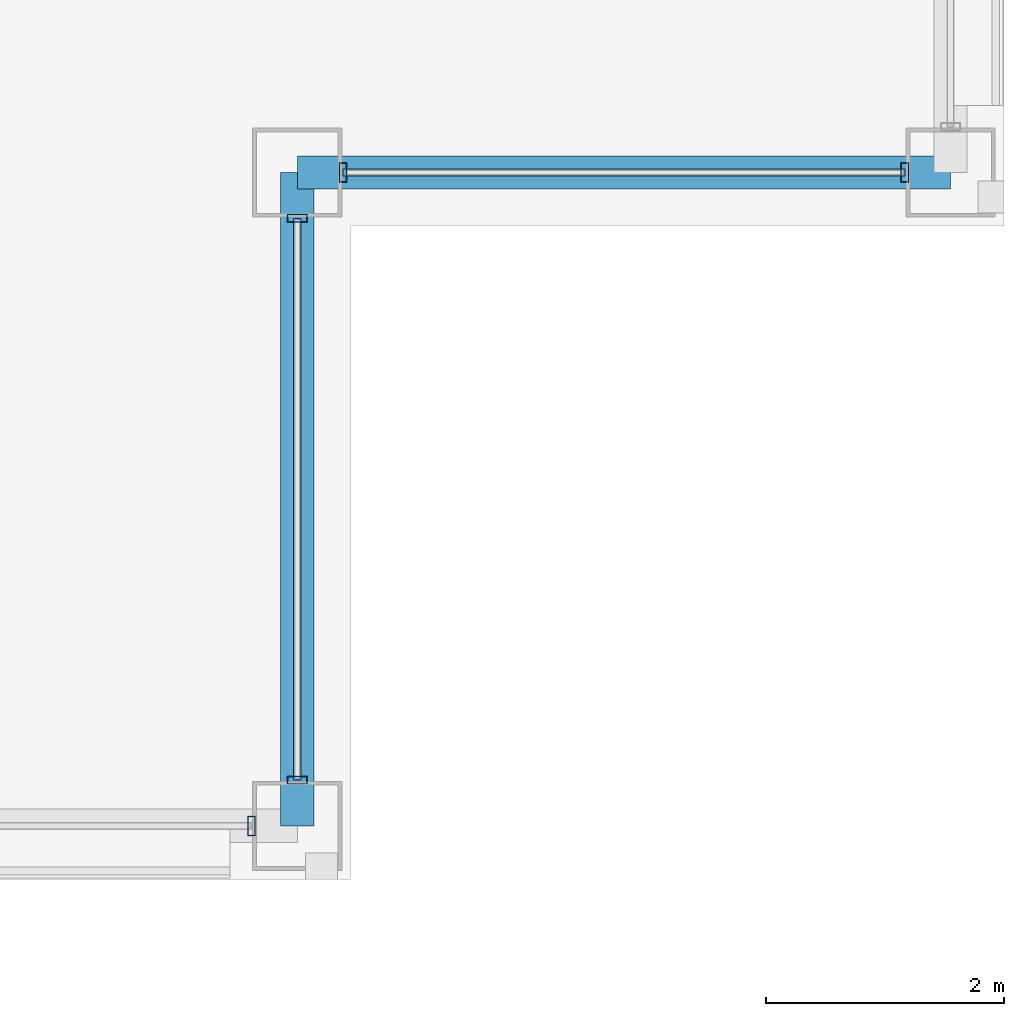
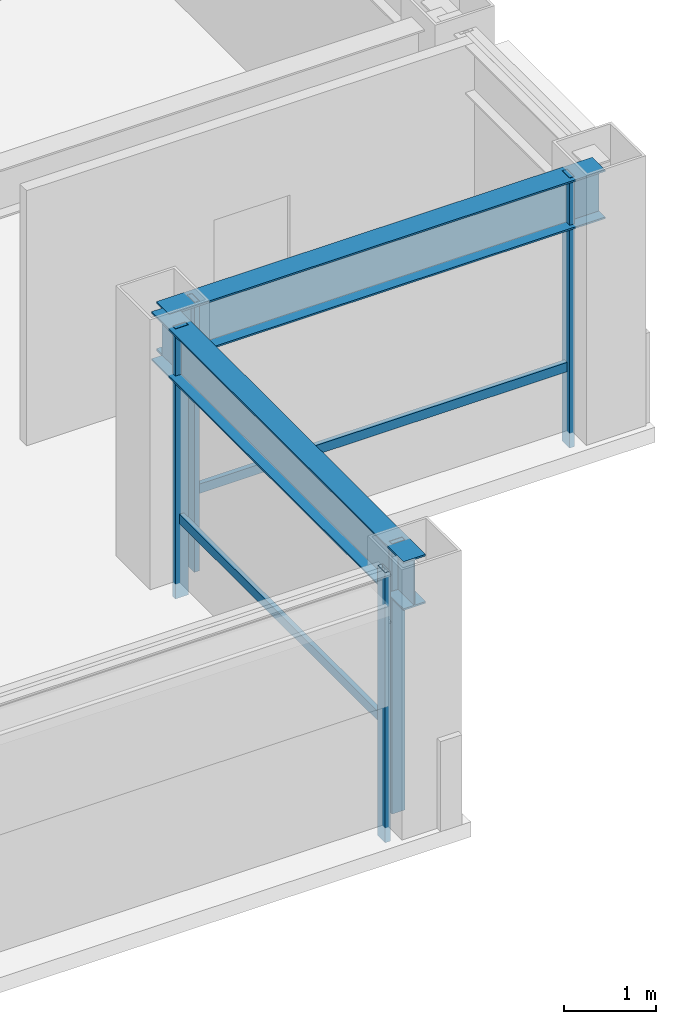
# One storey, part 12 of 31: 7 members, 2 beams, 3 elements without a shape of their own.
"""IFC4 building model written with IfcOpenShell, lengths in metres."""

from ifc_helpers import new_model, si_unit, direction, frame, origin, origin_2d, place, context, subcontext, project, spatial, hollow_rectangle, i_section, extrude, material, layer, layer_set, material_profile, profile_set, type_object, element, aggregate, save


model = new_model("IFC4")

# Units and contexts
model_context = context("Model", 3, precision=1e-05, world=origin(), true_north=direction((0.0, 1.0)))
body_context = subcontext(model_context, "Body", "Model", "MODEL_VIEW")
ifc_project = project(units=[si_unit("LENGTHUNIT", "METRE"), si_unit("AREAUNIT", "SQUARE_METRE"), si_unit("VOLUMEUNIT", "CUBIC_METRE"), si_unit("PLANEANGLEUNIT", "RADIAN"), si_unit("MASSUNIT", "GRAM", prefix="KILO")], contexts=[model_context])

# Site, building, storey
site_placement = place(None, origin())
site = spatial("IfcSite", under=ifc_project, at=site_placement, CompositionType="ELEMENT")
building_placement = place(site_placement, origin())
building = spatial("IfcBuilding", under=site, at=building_placement, Name="Brelmoor Portico Tower", CompositionType="ELEMENT")
storey_placement = place(building_placement, frame((0.0, 0.0, 176.699951171875)))
storey = spatial("IfcBuildingStorey", under=building, at=storey_placement, Name="L46", CompositionType="ELEMENT", Elevation=176.699951171875)

# Beams
ifc_material_1 = material(Name="Steel Q355B", Category="steel")
ifc_material_profile_1 = material_profile(ifc_material_1, i_section(OverallWidth=0.280029296875, OverallDepth=0.64990234375, WebThickness=0.012939453125, FlangeThickness=0.02197265625, at=origin_2d()), Name="HN 650x280x13x22")
ifc_profile_set_1 = profile_set([ifc_material_profile_1], Name="Steel Q355B")
beam_type = type_object("IfcBeamType", Name="BM-SP-650", PredefinedType="SPANDREL", material=ifc_profile_set_1)
for number, where, z_axis, x_axis, name in (
    (1, (15.050048828125, -13.050048828125, 3.074951171875), (1.0, 0.0, 0.0), (0.0, 1.0, 0.0), "L46 Perimeter Spandrel Beam SP-05"),
    (2, (15.050048828125, -18.550048828125, 3.074951171875), (0.0, 1.0, 0.0), (-1.0, 0.0, 0.0), "L46 Perimeter Spandrel Beam SP-16"),
):
    element("IfcBeam", number, at=place(storey_placement, frame(where, z_axis=z_axis, x_axis=x_axis)), inside=storey, type_object=beam_type, Name=name, PredefinedType="SPANDREL", context=body_context, shape_type="SweptSolid", body=[
        extrude(i_section(OverallWidth=0.280029296875, OverallDepth=0.64990234375, WebThickness=0.012939453125, FlangeThickness=0.02197265625, at=origin_2d()), origin(), (0.0, 0.0, 1.0), 5.5),
    ])

# Curtain wall, member
ifc_material_2 = material(Name="Anodised Aluminium Alloy 6063-T6", Category="aluminium")
ifc_layer_1 = layer(ifc_material_2, 0.179931640625)
ifc_layer_set_1 = layer_set([ifc_layer_1], Name="Anodised Aluminium Alloy 6063-T6")
curtain_wall_type_1 = type_object("IfcCurtainWallType", Name="CW-TOWER-Z3-XB", PredefinedType="NOTDEFINED", material=ifc_layer_set_1)
curtain_wall_1_placement = place(storey_placement, origin())
curtain_wall_1 = element("IfcCurtainWall", 3, at=curtain_wall_1_placement, inside=storey, type_object=curtain_wall_type_1, Name="L46 Curtain Wall CW-L46-1R-2", PredefinedType="NOTDEFINED")
ifc_material_profile_2 = material_profile(ifc_material_2, hollow_rectangle(XDim=0.06494140625, YDim=0.1650390625, WallThickness=0.00390625, at=origin_2d()), Name="ALU MULLION 65x165")
ifc_profile_set_2 = profile_set([ifc_material_profile_2], Name="Anodised Aluminium Alloy 6063-T6")
member_type_1 = type_object("IfcMemberType", Name="MB-CW-MULL-165", PredefinedType="MULLION", material=ifc_profile_set_2)
member_1_placement = place(storey_placement, frame((14.6650390625, -18.550048828125, -0.199951171875), z_axis=(0.0, 0.0, 1.0), x_axis=(1.0, 0.0, 0.0)))
member_1 = element("IfcMember", 4, at=member_1_placement, type_object=member_type_1, Name="CW-L46-1R-2 Mullion 01", PredefinedType="MULLION", context=body_context, shape_type="SweptSolid", body=[
    extrude(hollow_rectangle(XDim=0.06494140625, YDim=0.1650390625, WallThickness=0.00390625, at=origin_2d()), origin(), (0.0, 0.0, 1.0), 3.60009765625),
])
aggregate(curtain_wall_1, [member_1])

# Curtain wall, members
ifc_layer_2 = layer(ifc_material_2, 0.179931640625)
ifc_layer_set_2 = layer_set([ifc_layer_2], Name="Anodised Aluminium Alloy 6063-T6")
curtain_wall_type_2 = type_object("IfcCurtainWallType", Name="CW-NOTCH-CHAMFER", PredefinedType="NOTDEFINED", material=ifc_layer_set_2)
curtain_wall_2_placement = place(storey_placement, origin())
curtain_wall_2 = element("IfcCurtainWall", 5, at=curtain_wall_2_placement, inside=storey, type_object=curtain_wall_type_2, Name="L46 Curtain Wall CWN-L46-SEH", PredefinedType="NOTDEFINED")
member_2_placement = place(storey_placement, frame((15.43505859375, -13.050048828125, -0.199951171875), z_axis=(0.0, 0.0, 1.0), x_axis=(1.0, 0.0, 0.0)))
member_2 = element("IfcMember", 6, at=member_2_placement, type_object=member_type_1, Name="CWN-L46-SEH Mullion 00", PredefinedType="MULLION", context=body_context, shape_type="SweptSolid", body=[
    extrude(hollow_rectangle(XDim=0.06494140625, YDim=0.1650390625, WallThickness=0.00390625, at=origin_2d()), origin(), (0.0, 0.0, 1.0), 3.60009765625),
])
member_3_placement = place(storey_placement, frame((20.1650390625, -13.050048828125, -0.199951171875), z_axis=(0.0, 0.0, 1.0), x_axis=(1.0, 0.0, 0.0)))
member_3 = element("IfcMember", 7, at=member_3_placement, type_object=member_type_1, Name="CWN-L46-SEH Mullion 01", PredefinedType="MULLION", context=body_context, shape_type="SweptSolid", body=[
    extrude(hollow_rectangle(XDim=0.06494140625, YDim=0.1650390625, WallThickness=0.00390625, at=origin_2d()), origin(), (0.0, 0.0, 1.0), 3.60009765625),
])

curtain_wall_3_placement = place(storey_placement, origin())
curtain_wall_3 = element("IfcCurtainWall", 8, at=curtain_wall_3_placement, inside=storey, type_object=curtain_wall_type_2, Name="L46 Curtain Wall CWN-L46-SEV", PredefinedType="NOTDEFINED")
member_4_placement = place(storey_placement, frame((15.050048828125, -18.1650390625, -0.199951171875), z_axis=(0.0, 0.0, 1.0), x_axis=(0.0, 1.0, 0.0)))
member_4 = element("IfcMember", 9, at=member_4_placement, type_object=member_type_1, Name="CWN-L46-SEV Mullion 00", PredefinedType="MULLION", context=body_context, shape_type="SweptSolid", body=[
    extrude(hollow_rectangle(XDim=0.06494140625, YDim=0.1650390625, WallThickness=0.00390625, at=origin_2d()), origin(), (0.0, 0.0, 1.0), 3.60009765625),
])
member_5_placement = place(storey_placement, frame((15.050048828125, -13.43505859375, -0.199951171875), z_axis=(0.0, 0.0, 1.0), x_axis=(0.0, 1.0, 0.0)))
member_5 = element("IfcMember", 10, at=member_5_placement, type_object=member_type_1, Name="CWN-L46-SEV Mullion 01", PredefinedType="MULLION", context=body_context, shape_type="SweptSolid", body=[
    extrude(hollow_rectangle(XDim=0.06494140625, YDim=0.1650390625, WallThickness=0.00390625, at=origin_2d()), origin(), (0.0, 0.0, 1.0), 3.60009765625),
])

# Member
ifc_material_profile_3 = material_profile(ifc_material_2, hollow_rectangle(XDim=0.06005859375, YDim=0.125, WallThickness=0.00341796875, at=origin_2d()), Name="ALU TRANSOM 60x125")
ifc_profile_set_3 = profile_set([ifc_material_profile_3], Name="Anodised Aluminium Alloy 6063-T6")
member_type_2 = type_object("IfcMemberType", Name="MB-CW-TRAN-125", PredefinedType="USERDEFINED", material=ifc_profile_set_3)
member_6_placement = place(storey_placement, frame((15.43505859375, -13.050048828125, 0.85009765625), z_axis=(1.0, 0.0, 0.0), x_axis=(0.0, 1.0, 0.0)))
member_6 = element("IfcMember", 11, at=member_6_placement, type_object=member_type_2, Name="CWN-L46-SEH Transom 1-00", ObjectType="TRANSOM", PredefinedType="USERDEFINED", context=body_context, shape_type="SweptSolid", body=[
    extrude(hollow_rectangle(XDim=0.06005859375, YDim=0.125, WallThickness=0.00341796875, at=origin_2d()), origin(), (0.0, 0.0, 1.0), 4.72998046875),
])

aggregate(curtain_wall_2, [member_2, member_3, member_6])

member_7_placement = place(storey_placement, frame((15.050048828125, -18.1650390625, 0.85009765625), z_axis=(0.0, 1.0, 0.0), x_axis=(-1.0, 0.0, 0.0)))
member_7 = element("IfcMember", 12, at=member_7_placement, type_object=member_type_2, Name="CWN-L46-SEV Transom 1-00", ObjectType="TRANSOM", PredefinedType="USERDEFINED", context=body_context, shape_type="SweptSolid", body=[
    extrude(hollow_rectangle(XDim=0.06005859375, YDim=0.125, WallThickness=0.00341796875, at=origin_2d()), origin(), (0.0, 0.0, 1.0), 4.72998046875),
])

aggregate(curtain_wall_3, [member_4, member_5, member_7])

save(model, "model.ifc")
